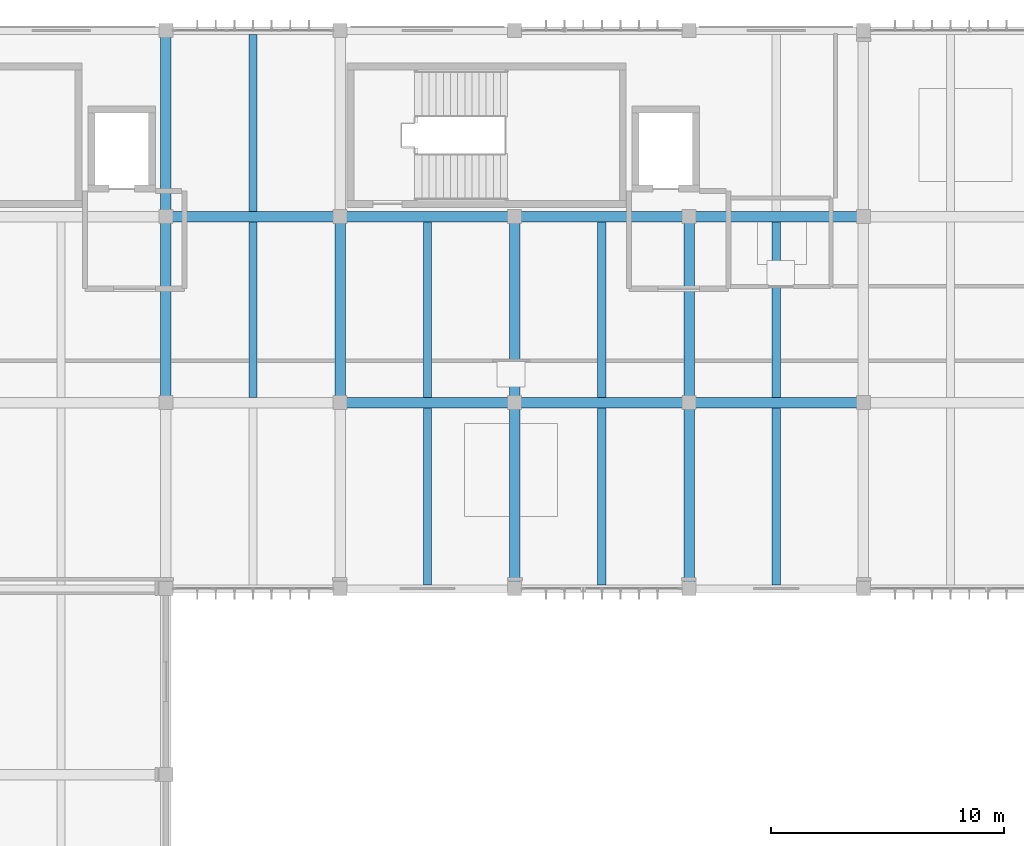
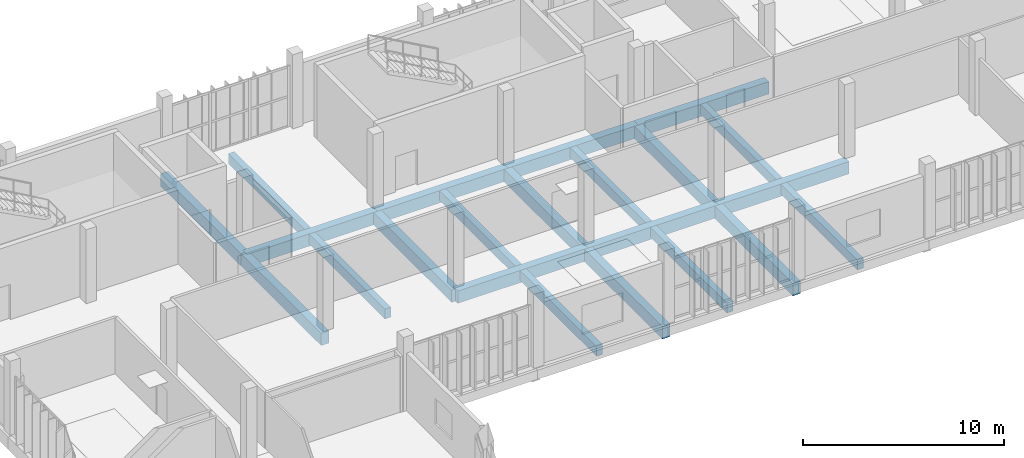
# One storey, part 15 of 81: 22 beams.
"""IFC4 building model written with IfcOpenShell, lengths in metres."""

from ifc_helpers import new_model, si_unit, direction, frame, origin, origin_2d, place, context, subcontext, project, spatial, rectangle, extrude, material, material_profile, profile_set, type_object, element, save


model = new_model("IFC4")

# Units and contexts
model_context = context("Model", 3, precision=1e-05, world=origin(), true_north=direction((0.0, 1.0)))
body_context = subcontext(model_context, "Body", "Model", "MODEL_VIEW")
ifc_project = project(units=[si_unit("LENGTHUNIT", "METRE"), si_unit("AREAUNIT", "SQUARE_METRE"), si_unit("VOLUMEUNIT", "CUBIC_METRE"), si_unit("PLANEANGLEUNIT", "RADIAN"), si_unit("MASSUNIT", "GRAM", prefix="KILO")], contexts=[model_context])

# Site, building, storey
site_placement = place(None, origin())
site = spatial("IfcSite", under=ifc_project, at=site_placement, CompositionType="ELEMENT")
building_placement = place(site_placement, origin())
building = spatial("IfcBuilding", under=site, at=building_placement, Name="Vourika Railside Aquatics Centre", CompositionType="ELEMENT")
storey_placement = place(building_placement, frame((0.0, 0.0, 4.800048828125)))
storey = spatial("IfcBuildingStorey", under=building, at=storey_placement, Name="L01", CompositionType="ELEMENT", Elevation=4.800048828125)

# Beams
ifc_material = material(Name="Concrete C35/45", Category="concrete")
ifc_material_profile_1 = material_profile(ifc_material, rectangle(XDim=0.449951171875, YDim=0.75, at=origin_2d()), Name="RC 450x750")
ifc_profile_set_1 = profile_set([ifc_material_profile_1], Name="Concrete C35/45")
beam_type_1 = type_object("IfcBeamType", Name="BM-GIRD-450x750", PredefinedType="BEAM", material=ifc_profile_set_1)
for number, where, z_axis, x_axis, name in (
    (1, (43.5, 100.0, -0.675048828125), (1.0, 0.0, 0.0), (0.0, 1.0, 0.0), "Floor Beam GX-L01-127"),
    (2, (51.0, 100.0, -0.675048828125), (1.0, 0.0, 0.0), (0.0, 1.0, 0.0), "Floor Beam GX-L01-128"),
    (3, (58.5, 100.0, -0.675048828125), (1.0, 0.0, 0.0), (0.0, 1.0, 0.0), "Floor Beam GX-L01-129"),
    (4, (36.0, 108.0, -0.675048828125), (1.0, 0.0, 0.0), (0.0, 1.0, 0.0), "Floor Beam GX-L01-141"),
    (5, (43.5, 108.0, -0.675048828125), (1.0, 0.0, 0.0), (0.0, 1.0, 0.0), "Floor Beam GX-L01-142"),
    (6, (51.0, 108.0, -0.675048828125), (1.0, 0.0, 0.0), (0.0, 1.0, 0.0), "Floor Beam GX-L01-143"),
    (7, (58.5, 108.0, -0.675048828125), (1.0, 0.0, 0.0), (0.0, 1.0, 0.0), "Floor Beam GX-L01-144"),
):
    element("IfcBeam", number, at=place(storey_placement, frame(where, z_axis=z_axis, x_axis=x_axis)), inside=storey, type_object=beam_type_1, Name=name, PredefinedType="BEAM", context=body_context, shape_type="SweptSolid", body=[
        extrude(rectangle(XDim=0.449951171875, YDim=0.75, at=origin_2d()), origin(), (0.0, 0.0, 1.0), 7.5),
    ])
for number, where, z_axis, x_axis, name in (
    (8, (36.0, 100.0, -0.675048828125), (0.0, 1.0, 0.0), (-1.0, 0.0, 0.0), "Floor Girder GY-L01-200"),
    (9, (36.0, 108.0, -0.675048828125), (0.0, 1.0, 0.0), (-1.0, 0.0, 0.0), "Floor Girder GY-L01-201"),
    (10, (43.5, 100.0, -0.675048828125), (0.0, 1.0, 0.0), (-1.0, 0.0, 0.0), "Floor Girder GY-L01-205"),
    (11, (51.0, 92.0, -0.675048828125), (0.0, 1.0, 0.0), (-1.0, 0.0, 0.0), "Floor Girder GY-L01-208"),
    (12, (51.0, 100.0, -0.675048828125), (0.0, 1.0, 0.0), (-1.0, 0.0, 0.0), "Floor Girder GY-L01-209"),
    (13, (58.5, 92.0, -0.675048828125), (0.0, 1.0, 0.0), (-1.0, 0.0, 0.0), "Floor Girder GY-L01-213"),
    (14, (58.5, 100.0, -0.675048828125), (0.0, 1.0, 0.0), (-1.0, 0.0, 0.0), "Floor Girder GY-L01-214"),
):
    element("IfcBeam", number, at=place(storey_placement, frame(where, z_axis=z_axis, x_axis=x_axis)), inside=storey, type_object=beam_type_1, Name=name, PredefinedType="BEAM", context=body_context, shape_type="SweptSolid", body=[
        extrude(rectangle(XDim=0.449951171875, YDim=0.75, at=origin_2d()), origin(), (0.0, 0.0, 1.0), 8.0),
    ])
ifc_material_profile_2 = material_profile(ifc_material, rectangle(XDim=0.35009765625, YDim=0.60009765625, at=origin_2d()), Name="RC 350x600")
ifc_profile_set_2 = profile_set([ifc_material_profile_2], Name="Concrete C35/45")
beam_type_2 = type_object("IfcBeamType", Name="BM-SEC-350x600", PredefinedType="JOIST", material=ifc_profile_set_2)
for number, where, z_axis, x_axis, name in (
    (15, (47.25, 92.159912109375, -0.60009765625), (0.0, 1.0, 0.0), (-1.0, 0.0, 0.0), "Secondary Joist JY-L01-354"),
    (16, (54.75, 92.159912109375, -0.60009765625), (0.0, 1.0, 0.0), (-1.0, 0.0, 0.0), "Secondary Joist JY-L01-355"),
    (17, (62.25, 92.159912109375, -0.60009765625), (0.0, 1.0, 0.0), (-1.0, 0.0, 0.0), "Secondary Joist JY-L01-356"),
):
    element("IfcBeam", number, at=place(storey_placement, frame(where, z_axis=z_axis, x_axis=x_axis)), inside=storey, type_object=beam_type_2, Name=name, PredefinedType="JOIST", context=body_context, shape_type="SweptSolid", body=[
        extrude(rectangle(XDim=0.35009765625, YDim=0.60009765625, at=origin_2d()), origin(), (0.0, 0.0, 1.0), 7.614990234375),
    ])
for number, where, z_axis, x_axis, name in (
    (18, (39.75, 100.22509765625, -0.60009765625), (0.0, 1.0, 0.0), (-1.0, 0.0, 0.0), "Secondary Joist JY-L01-368"),
    (19, (47.25, 100.22509765625, -0.60009765625), (0.0, 1.0, 0.0), (-1.0, 0.0, 0.0), "Secondary Joist JY-L01-369"),
    (20, (54.75, 100.22509765625, -0.60009765625), (0.0, 1.0, 0.0), (-1.0, 0.0, 0.0), "Secondary Joist JY-L01-370"),
    (21, (62.25, 100.22509765625, -0.60009765625), (0.0, 1.0, 0.0), (-1.0, 0.0, 0.0), "Secondary Joist JY-L01-371"),
):
    element("IfcBeam", number, at=place(storey_placement, frame(where, z_axis=z_axis, x_axis=x_axis)), inside=storey, type_object=beam_type_2, Name=name, PredefinedType="JOIST", context=body_context, shape_type="SweptSolid", body=[
        extrude(rectangle(XDim=0.35009765625, YDim=0.60009765625, at=origin_2d()), origin(), (0.0, 0.0, 1.0), 7.5498046875),
    ])
beam_placement = place(storey_placement, frame((39.75, 108.22509765625, -0.60009765625), z_axis=(0.0, 1.0, 0.0), x_axis=(-1.0, 0.0, 0.0)))
element("IfcBeam", 22, at=beam_placement, inside=storey, type_object=beam_type_2, Name="Secondary Joist JY-L01-381", PredefinedType="JOIST", context=body_context, shape_type="SweptSolid", body=[
    extrude(rectangle(XDim=0.35009765625, YDim=0.60009765625, at=origin_2d()), origin(), (0.0, 0.0, 1.0), 7.614990234375),
])

save(model, "model.ifc")
